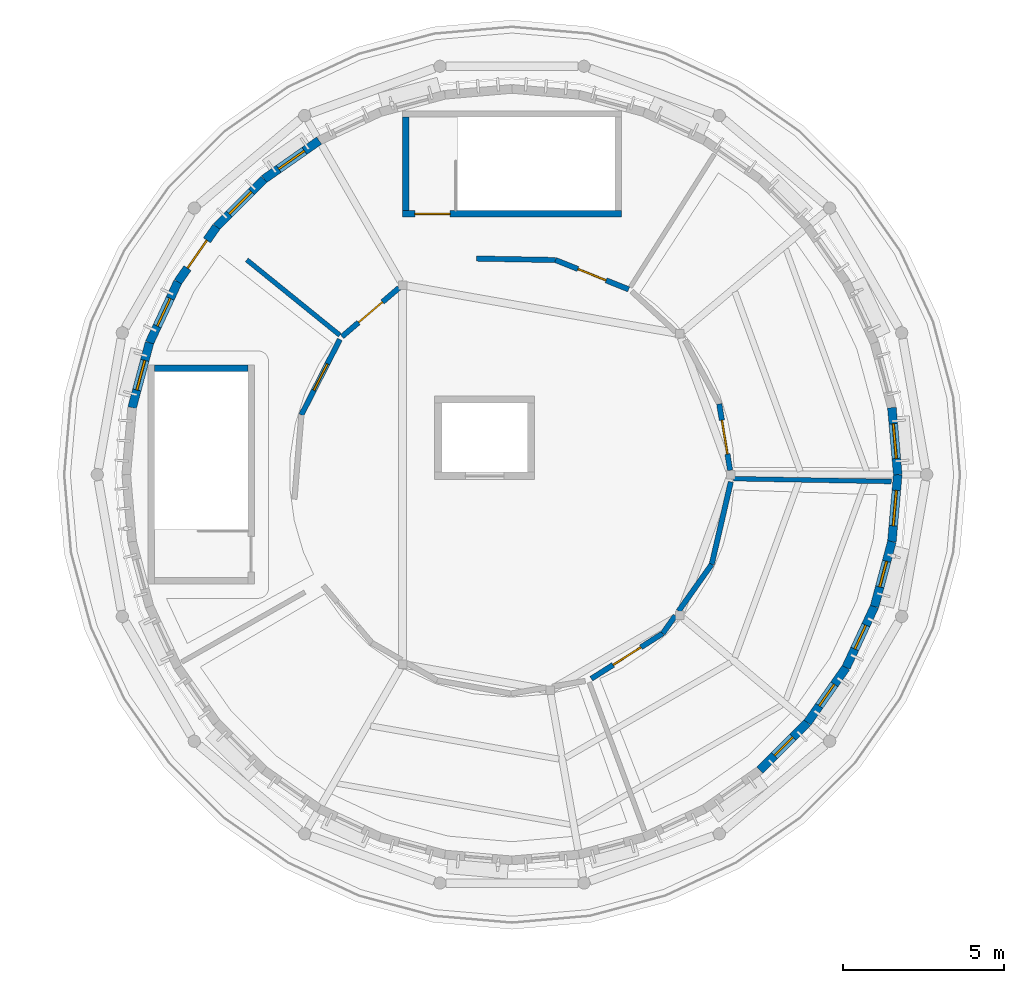
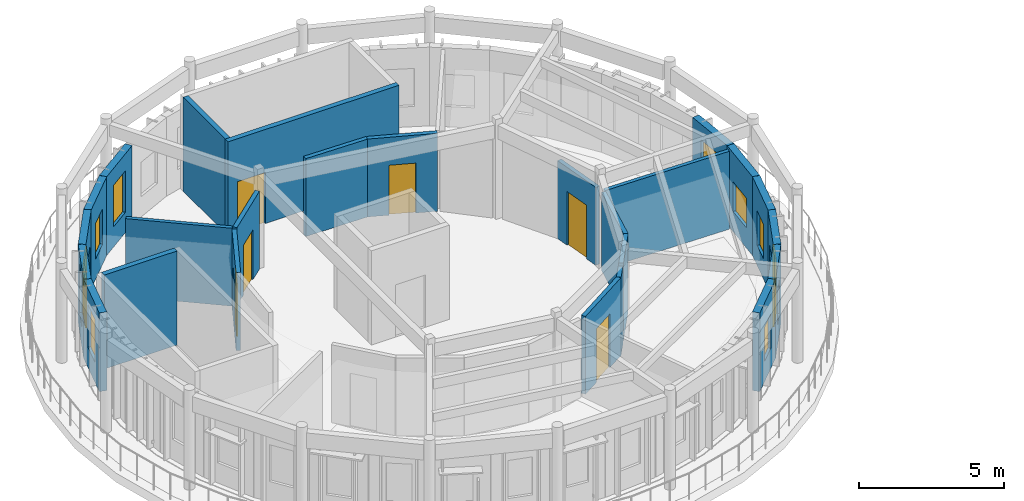
# One storey, part 9 of 14: 25 walls, 10 windows, 7 doors, 17 openings.
"""IFC4 building model written with IfcOpenShell, lengths in metres."""

from ifc_helpers import new_model, si_unit, direction, frame, frame_2d, origin, place, context, subcontext, project, spatial, rectangle, extrude, material, layer, layer_set, type_object, element, fill, save


model = new_model("IFC4")

# Units and contexts
model_context = context("Model", 3, precision=1e-05, world=origin(), true_north=direction((0.0, 1.0)))
body_context = subcontext(model_context, "Body", "Model", "MODEL_VIEW")
ifc_project = project(units=[si_unit("LENGTHUNIT", "METRE"), si_unit("AREAUNIT", "SQUARE_METRE"), si_unit("VOLUMEUNIT", "CUBIC_METRE"), si_unit("PLANEANGLEUNIT", "RADIAN"), si_unit("MASSUNIT", "GRAM", prefix="KILO")], contexts=[model_context])

# Site, building, storey
site_placement = place(None, origin())
site = spatial("IfcSite", under=ifc_project, at=site_placement, CompositionType="ELEMENT")
building_placement = place(site_placement, origin())
building = spatial("IfcBuilding", under=site, at=building_placement, Name="Aldenvaro Health Centre", CompositionType="ELEMENT")
storey_placement = place(building_placement, frame((0.0, 0.0, 21.35009765625)))
storey = spatial("IfcBuildingStorey", under=building, at=storey_placement, Name="L05", CompositionType="ELEMENT", Elevation=21.35009765625)

# Walls
ifc_material_1 = material(Name="Gypsum Stud Acoustic Assembly")
ifc_layer_1 = layer(ifc_material_1, 0.14501953125, Name="Gypsum Stud Acoustic Assembly")
ifc_layer_set_1 = layer_set([ifc_layer_1], Name="Gypsum Stud Acoustic Assembly")
wall_type_1 = type_object("IfcWallType", Name="WL-CLN-145", PredefinedType="PARTITIONING", material=ifc_layer_set_1)
wall_1_placement = place(storey_placement, frame((13.15087890625, 103.83203125, 0.0), z_axis=(0.0, 0.0, 1.0), x_axis=(-0.777240280244, 0.629203899198, 0.0)))
element("IfcWall", 1, at=wall_1_placement, inside=storey, type_object=wall_type_1, Name="D4 L05 clinical partition 1.1", PredefinedType="PARTITIONING", context=body_context, shape_type="SweptSolid", body=[
    extrude(rectangle(XDim=3.715576171875, YDim=0.14501953125, at=frame_2d((1.85791015625, 0.0))), origin(), (0.0, 0.0, 1.0), 3.27880859375),
])
wall_2_placement = place(storey_placement, frame((25.382080078125, 99.375, 0.0), z_axis=(0.0, 0.0, 1.0), x_axis=(0.999834471554, -0.01819421588, 0.0)))
element("IfcWall", 2, at=wall_2_placement, inside=storey, type_object=wall_type_1, Name="D4 L05 clinical partition 4.1", PredefinedType="PARTITIONING", context=body_context, shape_type="SweptSolid", body=[
    extrude(rectangle(XDim=4.897705078125, YDim=0.14501953125, at=frame_2d((2.44873046875, 0.0))), origin(), (0.0, 0.0, 1.0), 3.27880859375),
])

# Wall, opening, door
ifc_layer_2 = layer(ifc_material_1, 0.1650390625, Name="Gypsum Stud Acoustic Assembly")
ifc_layer_set_2 = layer_set([ifc_layer_2], Name="Gypsum Stud Acoustic Assembly")
wall_type_2 = type_object("IfcWallType", Name="WL-COR-165", PredefinedType="PARTITIONING", material=ifc_layer_set_2)
wall_3_placement = place(storey_placement, frame((13.153076171875, 103.700927734375, 0.0), z_axis=(0.0, 0.0, 1.0), x_axis=(-0.454070411611, -0.890965802542, 0.0)))
wall_3 = element("IfcWall", 3, at=wall_3_placement, inside=storey, type_object=wall_type_2, Name="D4 L05 corridor wall 01.1", PredefinedType="PARTITIONING", context=body_context, shape_type="SweptSolid", body=[
    extrude(rectangle(XDim=2.629638671875, YDim=0.1650390625, at=frame_2d((1.31494140625, 0.0))), origin(), (0.0, 0.0, 1.0), 3.27880859375),
])
opening_1_placement = place(wall_3_placement, frame((0.85400390625, 0.0, 0.0)))
opening_1 = element("IfcOpeningElement", 4, at=opening_1_placement, cuts=wall_3, Name="Opening D-09", PredefinedType="OPENING", context=body_context, shape_type="SweptSolid", body=[
    extrude(rectangle(XDim=0.919921875, YDim=2.239990234375, at=frame_2d((0.4599609375, 1.1201171875))), frame((0.0, 0.092529296875, 0.0), z_axis=(0.0, -1.0, 0.0), x_axis=(1.0, 0.0, 0.0)), (0.0, 0.0, 1.0), 0.18505859375),
])
ifc_material_2 = material(Name="Tall Clinical Timber Door", Category="wood")
door_type_1 = type_object("IfcDoorType", Name="DR-CLN-09", OperationType="NOTDEFINED", PredefinedType="DOOR", material=ifc_material_2)
door_1_placement = place(opening_1_placement, origin())
door_1 = element("IfcDoor", 5, at=door_1_placement, inside=storey, type_object=door_type_1, Name="Integrative Medicine Consulting Suite Door", OperationType="SINGLE_SWING_LEFT", OverallHeight=2.239990234375, OverallWidth=0.919921875, PredefinedType="DOOR", context=body_context, shape_type="SweptSolid", body=[
    extrude(rectangle(XDim=0.919921875, YDim=2.239990234375, at=frame_2d((0.4599609375, 1.1201171875))), frame((0.0, 0.02490234375, 0.0), z_axis=(0.0, -1.0, 0.0), x_axis=(1.0, 0.0, 0.0)), (0.0, 0.0, 1.0), 0.050048828125),
])
fill(opening_1, door_1)

wall_4_placement = place(storey_placement, frame((20.962890625, 93.162109375, 0.0), z_axis=(0.0, 0.0, 1.0), x_axis=(0.844505505294, 0.535546871457, 0.0)))
wall_4 = element("IfcWall", 6, at=wall_4_placement, inside=storey, type_object=wall_type_2, Name="D4 L05 corridor wall 03.1", PredefinedType="PARTITIONING", context=body_context, shape_type="SweptSolid", body=[
    extrude(rectangle(XDim=2.62890625, YDim=0.1650390625, at=frame_2d((1.314453125, 0.0))), origin(), (0.0, 0.0, 1.0), 3.27880859375),
])
opening_2_placement = place(wall_4_placement, frame((0.803955078125, 0.0, 0.0)))
opening_2 = element("IfcOpeningElement", 7, at=opening_2_placement, cuts=wall_4, Name="Opening D-11", PredefinedType="OPENING", context=body_context, shape_type="SweptSolid", body=[
    extrude(rectangle(XDim=1.02001953125, YDim=2.260009765625, at=frame_2d((0.510009765625, 1.1298828125))), frame((0.0, 0.092529296875, 0.0), z_axis=(0.0, -1.0, 0.0), x_axis=(1.0, 0.0, 0.0)), (0.0, 0.0, 1.0), 0.18505859375),
])
door_type_2 = type_object("IfcDoorType", Name="DR-CLN-11", OperationType="NOTDEFINED", PredefinedType="DOOR", material=ifc_material_2)
door_2_placement = place(opening_2_placement, origin())
door_2 = element("IfcDoor", 8, at=door_2_placement, inside=storey, type_object=door_type_2, Name="Clinical Research and Care Coordination Door", OperationType="SINGLE_SWING_LEFT", OverallHeight=2.260009765625, OverallWidth=1.02001953125, PredefinedType="DOOR", context=body_context, shape_type="SweptSolid", body=[
    extrude(rectangle(XDim=1.02001953125, YDim=2.260009765625, at=frame_2d((0.510009765625, 1.1298828125))), frame((0.0, 0.02490234375, 0.0), z_axis=(0.0, -1.0, 0.0), x_axis=(1.0, 0.0, 0.0)), (0.0, 0.0, 1.0), 0.050048828125),
])
fill(opening_2, door_2)

# Walls
wall_5_placement = place(storey_placement, frame((23.18310546875, 94.570068359375, 0.0), z_axis=(0.0, 0.0, 1.0), x_axis=(0.578863935342, 0.815424149974, 0.0)))
element("IfcWall", 9, at=wall_5_placement, inside=storey, type_object=wall_type_2, Name="D4 L05 corridor wall 03.2", PredefinedType="PARTITIONING", context=body_context, shape_type="SweptSolid", body=[
    extrude(rectangle(XDim=0.671875, YDim=0.1650390625, at=frame_2d((0.3359375, 0.0))), origin(), (0.0, 0.0, 1.0), 3.27880859375),
])
wall_6_placement = place(storey_placement, frame((23.674072265625, 95.261962890625, 0.0), z_axis=(0.0, 0.0, 1.0), x_axis=(0.577834707515, 0.816153815645, 0.0)))
element("IfcWall", 10, at=wall_6_placement, inside=storey, type_object=wall_type_2, Name="D4 L05 corridor wall 03.3", PredefinedType="PARTITIONING", context=body_context, shape_type="SweptSolid", body=[
    extrude(rectangle(XDim=1.780517578125, YDim=0.1650390625, at=frame_2d((0.89013671875, 0.0))), origin(), (0.0, 0.0, 1.0), 3.27880859375),
])
wall_7_placement = place(storey_placement, frame((24.702880859375, 96.715087890625, 0.0), z_axis=(0.0, 0.0, 1.0), x_axis=(0.225605611858, 0.974218716664, 0.0)))
element("IfcWall", 11, at=wall_7_placement, inside=storey, type_object=wall_type_2, Name="D4 L05 corridor wall 03.4", PredefinedType="PARTITIONING", context=body_context, shape_type="SweptSolid", body=[
    extrude(rectangle(XDim=2.628662109375, YDim=0.1650390625, at=frame_2d((1.314453125, 0.0))), origin(), (0.0, 0.0, 1.0), 3.27880859375),
])

# Wall, opening, door
wall_8_placement = place(storey_placement, frame((25.27392578125, 99.635009765625, 0.0), z_axis=(0.0, 0.0, 1.0), x_axis=(-0.161857175328, 0.986814194666, 0.0)))
wall_8 = element("IfcWall", 12, at=wall_8_placement, inside=storey, type_object=wall_type_2, Name="D4 L05 corridor wall 04.1", PredefinedType="PARTITIONING", context=body_context, shape_type="SweptSolid", body=[
    extrude(rectangle(XDim=2.087646484375, YDim=0.1650390625, at=frame_2d((1.0439453125, 0.0))), origin(), (0.0, 0.0, 1.0), 3.27880859375),
])
opening_3_placement = place(wall_8_placement, frame((0.513916015625, 0.0, 0.0)))
opening_3 = element("IfcOpeningElement", 13, at=opening_3_placement, cuts=wall_8, Name="Opening D-12", PredefinedType="OPENING", context=body_context, shape_type="SweptSolid", body=[
    extrude(rectangle(XDim=1.06005859375, YDim=2.260009765625, at=frame_2d((0.530029296875, 1.1298828125))), frame((0.0, 0.092529296875, 0.0), z_axis=(0.0, -1.0, 0.0), x_axis=(1.0, 0.0, 0.0)), (0.0, 0.0, 1.0), 0.18505859375),
])
door_type_3 = type_object("IfcDoorType", Name="DR-CLN-12", OperationType="NOTDEFINED", PredefinedType="DOOR", material=ifc_material_2)
door_3_placement = place(opening_3_placement, origin())
door_3 = element("IfcDoor", 14, at=door_3_placement, inside=storey, type_object=door_type_3, Name="Staff Respite Lounge Door", OperationType="SINGLE_SWING_RIGHT", OverallHeight=2.260009765625, OverallWidth=1.06005859375, PredefinedType="DOOR", context=body_context, shape_type="SweptSolid", body=[
    extrude(rectangle(XDim=1.06005859375, YDim=2.260009765625, at=frame_2d((0.530029296875, 1.1298828125))), frame((0.0, 0.02490234375, 0.0), z_axis=(0.0, -1.0, 0.0), x_axis=(1.0, 0.0, 0.0)), (0.0, 0.0, 1.0), 0.050048828125),
])
fill(opening_3, door_3)

wall_9_placement = place(storey_placement, frame((22.1220703125, 105.2548828125, 0.0), z_axis=(0.0, 0.0, 1.0), x_axis=(-0.928283943148, 0.371872183544, 0.0)))
wall_9 = element("IfcWall", 15, at=wall_9_placement, inside=storey, type_object=wall_type_2, Name="D4 L05 corridor wall 05.1", PredefinedType="PARTITIONING", context=body_context, shape_type="SweptSolid", body=[
    extrude(rectangle(XDim=2.447509765625, YDim=0.1650390625, at=frame_2d((1.2236328125, 0.0))), origin(), (0.0, 0.0, 1.0), 3.27880859375),
])
opening_4_placement = place(wall_9_placement, frame((0.75390625, 0.0, 0.0)))
opening_4 = element("IfcOpeningElement", 16, at=opening_4_placement, cuts=wall_9, Name="Opening WD-02", PredefinedType="OPENING", context=body_context, shape_type="SweptSolid", body=[
    extrude(rectangle(XDim=0.93994140625, YDim=2.10009765625, at=frame_2d((0.469970703125, 1.050048828125))), frame((0.0, 0.092529296875, 0.0), z_axis=(0.0, -1.0, 0.0), x_axis=(1.0, 0.0, 0.0)), (0.0, 0.0, 1.0), 0.18505859375),
])
ifc_material_3 = material(Name="Accessible Sanitary Laminate Door")
door_type_4 = type_object("IfcDoorType", Name="DR-WC-02", OperationType="NOTDEFINED", PredefinedType="DOOR", material=ifc_material_3)
door_4_placement = place(opening_4_placement, origin())
door_4 = element("IfcDoor", 17, at=door_4_placement, inside=storey, type_object=door_type_4, Name="Male Staff WC Door", OperationType="SINGLE_SWING_LEFT", OverallHeight=2.10009765625, OverallWidth=0.93994140625, PredefinedType="DOOR", context=body_context, shape_type="SweptSolid", body=[
    extrude(rectangle(XDim=0.93994140625, YDim=2.10009765625, at=frame_2d((0.469970703125, 1.050048828125))), frame((0.0, 0.02490234375, 0.0), z_axis=(0.0, -1.0, 0.0), x_axis=(1.0, 0.0, 0.0)), (0.0, 0.0, 1.0), 0.050048828125),
])
fill(opening_4, door_4)

# Wall
wall_10_placement = place(storey_placement, frame((19.85009765625, 106.1650390625, 0.0), z_axis=(0.0, 0.0, 1.0), x_axis=(-0.999824136519, 0.018753560577, 0.0)))
element("IfcWall", 18, at=wall_10_placement, inside=storey, type_object=wall_type_2, Name="D4 L05 corridor wall 05.2", PredefinedType="PARTITIONING", context=body_context, shape_type="SweptSolid", body=[
    extrude(rectangle(XDim=2.447509765625, YDim=0.1650390625, at=frame_2d((1.2236328125, 0.0))), origin(), (0.0, 0.0, 1.0), 3.27880859375),
])

# Wall, opening, door
wall_11_placement = place(storey_placement, frame((14.992919921875, 105.302978515625, 0.0), z_axis=(0.0, 0.0, 1.0), x_axis=(-0.759884425371, -0.650058197455, 0.0)))
wall_11 = element("IfcWall", 19, at=wall_11_placement, inside=storey, type_object=wall_type_2, Name="D4 L05 corridor wall 06.1", PredefinedType="PARTITIONING", context=body_context, shape_type="SweptSolid", body=[
    extrude(rectangle(XDim=2.331787109375, YDim=0.1650390625, at=frame_2d((1.166015625, 0.0))), origin(), (0.0, 0.0, 1.0), 3.27880859375),
])
opening_5_placement = place(wall_11_placement, frame((0.676025390625, 0.0, 0.0)))
opening_5 = element("IfcOpeningElement", 20, at=opening_5_placement, cuts=wall_11, Name="Opening WD-03", PredefinedType="OPENING", context=body_context, shape_type="SweptSolid", body=[
    extrude(rectangle(XDim=0.97998046875, YDim=2.10009765625, at=frame_2d((0.489990234375, 1.050048828125))), frame((0.0, 0.092529296875, 0.0), z_axis=(0.0, -1.0, 0.0), x_axis=(1.0, 0.0, 0.0)), (0.0, 0.0, 1.0), 0.18505859375),
])
ifc_material_4 = material(Name="Bariatric Accessible Sanitary Door")
door_type_5 = type_object("IfcDoorType", Name="DR-WC-03", OperationType="NOTDEFINED", PredefinedType="DOOR", material=ifc_material_4)
door_5_placement = place(opening_5_placement, origin())
door_5 = element("IfcDoor", 21, at=door_5_placement, inside=storey, type_object=door_type_5, Name="Female Staff WC Door", OperationType="SINGLE_SWING_RIGHT", OverallHeight=2.10009765625, OverallWidth=0.97998046875, PredefinedType="DOOR", context=body_context, shape_type="SweptSolid", body=[
    extrude(rectangle(XDim=0.97998046875, YDim=2.10009765625, at=frame_2d((0.489990234375, 1.050048828125))), frame((0.0, 0.02490234375, 0.0), z_axis=(0.0, -1.0, 0.0), x_axis=(1.0, 0.0, 0.0)), (0.0, 0.0, 1.0), 0.050048828125),
])
fill(opening_5, door_5)

# Wall, opening, window
ifc_material_5 = material(Name="Cross-laminated timber CLT E1", Category="wood")
ifc_layer_3 = layer(ifc_material_5, 0.27001953125, Name="Cross-laminated timber CLT E1", Category="wood")
ifc_layer_set_3 = layer_set([ifc_layer_3], Name="Cross-laminated timber CLT E1")
wall_type_3 = type_object("IfcWallType", Name="WL-EXT-270", PredefinedType="ELEMENTEDWALL", material=ifc_layer_set_3)
wall_12_placement = place(storey_placement, frame((30.298095703125, 97.419921875, 0.0), z_axis=(0.0, 0.0, 1.0), x_axis=(-0.258652308331, -0.965970487849, 0.0)))
wall_12 = element("IfcWall", 22, at=wall_12_placement, inside=storey, type_object=wall_type_3, Name="D4 L05 exterior wall 01", PredefinedType="ELEMENTEDWALL", context=body_context, shape_type="SweptSolid", body=[
    extrude(rectangle(XDim=2.087890625, YDim=0.27001953125, at=frame_2d((1.0439453125, 0.0))), origin(), (0.0, 0.0, 1.0), 3.31396484375),
])
opening_6_placement = place(wall_12_placement, frame((0.634033203125, 0.0, 0.85009765625)))
opening_6 = element("IfcOpeningElement", 23, at=opening_6_placement, cuts=wall_12, Name="Opening W-01", PredefinedType="OPENING", context=body_context, shape_type="SweptSolid", body=[
    extrude(rectangle(XDim=0.820068359375, YDim=1.449951171875, at=frame_2d((0.41015625, 0.72509765625))), frame((0.0, 0.14501953125, 0.0), z_axis=(0.0, -1.0, 0.0), x_axis=(1.0, 0.0, 0.0)), (0.0, 0.0, 1.0), 0.2900390625),
])
ifc_material_6 = material(Name="Thermally Broken Aluminium Low-E Glass", Category="aluminium")
window_type_1 = type_object("IfcWindowType", Name="WN-EXT-01", PartitioningType="SINGLE_PANEL", PredefinedType="WINDOW", material=ifc_material_6)
window_1_placement = place(opening_6_placement, origin())
window_1 = element("IfcWindow", 24, at=window_1_placement, inside=storey, type_object=window_type_1, Name="D4 L05 clinical window 01", OverallHeight=1.449951171875, OverallWidth=0.820068359375, PartitioningType="SINGLE_PANEL", PredefinedType="WINDOW", context=body_context, shape_type="SweptSolid", body=[
    extrude(rectangle(XDim=0.820068359375, YDim=1.449951171875, at=frame_2d((0.41015625, 0.72509765625))), frame((0.0, 0.030029296875, 0.0), z_axis=(0.0, -1.0, 0.0), x_axis=(1.0, 0.0, 0.0)), (0.0, 0.0, 1.0), 0.06005859375),
])
fill(opening_6, window_1)

wall_13_placement = place(storey_placement, frame((29.758056640625, 95.403076171875, 0.0), z_axis=(0.0, 0.0, 1.0), x_axis=(-0.422738299131, -0.906251803004, 0.0)))
wall_13 = element("IfcWall", 25, at=wall_13_placement, inside=storey, type_object=wall_type_3, Name="D4 L05 exterior wall 02", PredefinedType="ELEMENTEDWALL", context=body_context, shape_type="SweptSolid", body=[
    extrude(rectangle(XDim=2.0888671875, YDim=0.27001953125, at=frame_2d((1.04443359375, 0.0))), origin(), (0.0, 0.0, 1.0), 3.31396484375),
])
opening_7_placement = place(wall_13_placement, frame((0.634033203125, 0.0, 0.85009765625)))
opening_7 = element("IfcOpeningElement", 26, at=opening_7_placement, cuts=wall_13, Name="Opening W-01", PredefinedType="OPENING", context=body_context, shape_type="SweptSolid", body=[
    extrude(rectangle(XDim=0.820068359375, YDim=1.449951171875, at=frame_2d((0.41015625, 0.72509765625))), frame((0.0, 0.14501953125, 0.0), z_axis=(0.0, -1.0, 0.0), x_axis=(1.0, 0.0, 0.0)), (0.0, 0.0, 1.0), 0.2900390625),
])
window_2_placement = place(opening_7_placement, origin())
window_2 = element("IfcWindow", 27, at=window_2_placement, inside=storey, type_object=window_type_1, Name="D4 L05 clinical window 02", OverallHeight=1.449951171875, OverallWidth=0.820068359375, PartitioningType="SINGLE_PANEL", PredefinedType="WINDOW", context=body_context, shape_type="SweptSolid", body=[
    extrude(rectangle(XDim=0.820068359375, YDim=1.449951171875, at=frame_2d((0.41015625, 0.72509765625))), frame((0.0, 0.030029296875, 0.0), z_axis=(0.0, -1.0, 0.0), x_axis=(1.0, 0.0, 0.0)), (0.0, 0.0, 1.0), 0.06005859375),
])
fill(opening_7, window_2)

wall_14_placement = place(storey_placement, frame((28.875, 93.510009765625, 0.0), z_axis=(0.0, 0.0, 1.0), x_axis=(-0.573572167388, -0.819155033433, 0.0)))
wall_14 = element("IfcWall", 28, at=wall_14_placement, inside=storey, type_object=wall_type_3, Name="D4 L05 exterior wall 03", PredefinedType="ELEMENTEDWALL", context=body_context, shape_type="SweptSolid", body=[
    extrude(rectangle(XDim=2.088623046875, YDim=0.27001953125, at=frame_2d((1.04443359375, 0.0))), origin(), (0.0, 0.0, 1.0), 3.31396484375),
])
opening_8_placement = place(wall_14_placement, frame((0.634033203125, 0.0, 0.85009765625)))
opening_8 = element("IfcOpeningElement", 29, at=opening_8_placement, cuts=wall_14, Name="Opening W-01", PredefinedType="OPENING", context=body_context, shape_type="SweptSolid", body=[
    extrude(rectangle(XDim=0.820068359375, YDim=1.449951171875, at=frame_2d((0.41015625, 0.72509765625))), frame((0.0, 0.14501953125, 0.0), z_axis=(0.0, -1.0, 0.0), x_axis=(1.0, 0.0, 0.0)), (0.0, 0.0, 1.0), 0.2900390625),
])
window_3_placement = place(opening_8_placement, origin())
window_3 = element("IfcWindow", 30, at=window_3_placement, inside=storey, type_object=window_type_1, Name="D4 L05 clinical window 03", OverallHeight=1.449951171875, OverallWidth=0.820068359375, PartitioningType="SINGLE_PANEL", PredefinedType="WINDOW", context=body_context, shape_type="SweptSolid", body=[
    extrude(rectangle(XDim=0.820068359375, YDim=1.449951171875, at=frame_2d((0.41015625, 0.72509765625))), frame((0.0, 0.030029296875, 0.0), z_axis=(0.0, -1.0, 0.0), x_axis=(1.0, 0.0, 0.0)), (0.0, 0.0, 1.0), 0.06005859375),
])
fill(opening_8, window_3)

wall_15_placement = place(storey_placement, frame((27.677001953125, 91.799072265625, 0.0), z_axis=(0.0, 0.0, 1.0), x_axis=(-0.707106781187, -0.707106781187, 0.0)))
wall_15 = element("IfcWall", 31, at=wall_15_placement, inside=storey, type_object=wall_type_3, Name="D4 L05 exterior wall 04", PredefinedType="ELEMENTEDWALL", context=body_context, shape_type="SweptSolid", body=[
    extrude(rectangle(XDim=2.08740234375, YDim=0.27001953125, at=frame_2d((1.043701171875, 0.0))), origin(), (0.0, 0.0, 1.0), 3.31396484375),
])
opening_9_placement = place(wall_15_placement, frame((0.634033203125, 0.0, 0.85009765625)))
opening_9 = element("IfcOpeningElement", 32, at=opening_9_placement, cuts=wall_15, Name="Opening W-01", PredefinedType="OPENING", context=body_context, shape_type="SweptSolid", body=[
    extrude(rectangle(XDim=0.820068359375, YDim=1.449951171875, at=frame_2d((0.41015625, 0.72509765625))), frame((0.0, 0.14501953125, 0.0), z_axis=(0.0, -1.0, 0.0), x_axis=(1.0, 0.0, 0.0)), (0.0, 0.0, 1.0), 0.2900390625),
])
window_4_placement = place(opening_9_placement, origin())
window_4 = element("IfcWindow", 33, at=window_4_placement, inside=storey, type_object=window_type_1, Name="D4 L05 clinical window 04", OverallHeight=1.449951171875, OverallWidth=0.820068359375, PartitioningType="SINGLE_PANEL", PredefinedType="WINDOW", context=body_context, shape_type="SweptSolid", body=[
    extrude(rectangle(XDim=0.820068359375, YDim=1.449951171875, at=frame_2d((0.41015625, 0.72509765625))), frame((0.0, 0.030029296875, 0.0), z_axis=(0.0, -1.0, 0.0), x_axis=(1.0, 0.0, 0.0)), (0.0, 0.0, 1.0), 0.06005859375),
])
fill(opening_9, window_4)

wall_16_placement = place(storey_placement, frame((6.701904296875, 101.580078125, 0.0), z_axis=(0.0, 0.0, 1.0), x_axis=(0.258652308331, 0.965970487849, 0.0)))
wall_16 = element("IfcWall", 34, at=wall_16_placement, inside=storey, type_object=wall_type_3, Name="D4 L05 exterior wall 19", PredefinedType="ELEMENTEDWALL", context=body_context, shape_type="SweptSolid", body=[
    extrude(rectangle(XDim=2.087890625, YDim=0.27001953125, at=frame_2d((1.0439453125, 0.0))), origin(), (0.0, 0.0, 1.0), 3.31396484375),
])
opening_10_placement = place(wall_16_placement, frame((0.569091796875, 0.0, 0.85009765625)))
opening_10 = element("IfcOpeningElement", 35, at=opening_10_placement, cuts=wall_16, Name="Opening W-11", PredefinedType="OPENING", context=body_context, shape_type="SweptSolid", body=[
    extrude(rectangle(XDim=0.949951171875, YDim=1.800048828125, at=frame_2d((0.47509765625, 0.89990234375))), frame((0.0, 0.14501953125, 0.0), z_axis=(0.0, -1.0, 0.0), x_axis=(1.0, 0.0, 0.0)), (0.0, 0.0, 1.0), 0.2900390625),
])
window_type_2 = type_object("IfcWindowType", Name="WN-EXT-11", PartitioningType="SINGLE_PANEL", PredefinedType="WINDOW", material=ifc_material_6)
window_5_placement = place(opening_10_placement, origin())
window_5 = element("IfcWindow", 36, at=window_5_placement, inside=storey, type_object=window_type_2, Name="D4 L05 clinical window 19", OverallHeight=1.800048828125, OverallWidth=0.949951171875, PartitioningType="SINGLE_PANEL", PredefinedType="WINDOW", context=body_context, shape_type="SweptSolid", body=[
    extrude(rectangle(XDim=0.949951171875, YDim=1.800048828125, at=frame_2d((0.47509765625, 0.89990234375))), frame((0.0, 0.030029296875, 0.0), z_axis=(0.0, -1.0, 0.0), x_axis=(1.0, 0.0, 0.0)), (0.0, 0.0, 1.0), 0.06005859375),
])
fill(opening_10, window_5)

wall_17_placement = place(storey_placement, frame((7.241943359375, 103.596923828125, 0.0), z_axis=(0.0, 0.0, 1.0), x_axis=(0.422738299131, 0.906251803004, 0.0)))
wall_17 = element("IfcWall", 37, at=wall_17_placement, inside=storey, type_object=wall_type_3, Name="D4 L05 exterior wall 20", PredefinedType="ELEMENTEDWALL", context=body_context, shape_type="SweptSolid", body=[
    extrude(rectangle(XDim=2.0888671875, YDim=0.27001953125, at=frame_2d((1.04443359375, 0.0))), origin(), (0.0, 0.0, 1.0), 3.31396484375),
])
opening_11_placement = place(wall_17_placement, frame((0.569091796875, 0.0, 0.85009765625)))
opening_11 = element("IfcOpeningElement", 38, at=opening_11_placement, cuts=wall_17, Name="Opening W-12", PredefinedType="OPENING", context=body_context, shape_type="SweptSolid", body=[
    extrude(rectangle(XDim=0.949951171875, YDim=2.050048828125, at=frame_2d((0.47509765625, 1.02490234375))), frame((0.0, 0.14501953125, 0.0), z_axis=(0.0, -1.0, 0.0), x_axis=(1.0, 0.0, 0.0)), (0.0, 0.0, 1.0), 0.2900390625),
])
window_type_3 = type_object("IfcWindowType", Name="WN-EXT-12", PartitioningType="SINGLE_PANEL", PredefinedType="WINDOW", material=ifc_material_6)
window_6_placement = place(opening_11_placement, origin())
window_6 = element("IfcWindow", 39, at=window_6_placement, inside=storey, type_object=window_type_3, Name="D4 L05 clinical window 20", OverallHeight=2.050048828125, OverallWidth=0.949951171875, PartitioningType="SINGLE_PANEL", PredefinedType="WINDOW", context=body_context, shape_type="SweptSolid", body=[
    extrude(rectangle(XDim=0.949951171875, YDim=2.050048828125, at=frame_2d((0.47509765625, 1.02490234375))), frame((0.0, 0.030029296875, 0.0), z_axis=(0.0, -1.0, 0.0), x_axis=(1.0, 0.0, 0.0)), (0.0, 0.0, 1.0), 0.06005859375),
])
fill(opening_11, window_6)

# Wall, opening, door
wall_18_placement = place(storey_placement, frame((8.125, 105.489990234375, 0.0), z_axis=(0.0, 0.0, 1.0), x_axis=(0.573572167388, 0.819155033433, 0.0)))
wall_18 = element("IfcWall", 40, at=wall_18_placement, inside=storey, type_object=wall_type_3, Name="D4 L05 exterior wall 21", PredefinedType="ELEMENTEDWALL", context=body_context, shape_type="SweptSolid", body=[
    extrude(rectangle(XDim=2.088623046875, YDim=0.27001953125, at=frame_2d((1.04443359375, 0.0))), origin(), (0.0, 0.0, 1.0), 3.31396484375),
])
opening_12_placement = place(wall_18_placement, frame((0.51904296875, 0.0, 0.0)))
opening_12 = element("IfcOpeningElement", 41, at=opening_12_placement, cuts=wall_18, Name="Opening TD-02", PredefinedType="OPENING", context=body_context, shape_type="SweptSolid", body=[
    extrude(rectangle(XDim=1.050048828125, YDim=2.14990234375, at=frame_2d((0.52490234375, 1.074951171875))), frame((0.0, 0.14501953125, 0.0), z_axis=(0.0, -1.0, 0.0), x_axis=(1.0, 0.0, 0.0)), (0.0, 0.0, 1.0), 0.2900390625),
])
ifc_material_7 = material(Name="Thermally Broken Glazed Aluminium", Category="aluminium")
door_type_6 = type_object("IfcDoorType", Name="DR-TER-105", OperationType="NOTDEFINED", PredefinedType="DOOR", material=ifc_material_7)
door_6_placement = place(opening_12_placement, origin())
door_6 = element("IfcDoor", 42, at=door_6_placement, inside=storey, type_object=door_type_6, Name="D4 L05 Belvedere Terrace Door 21", OperationType="SINGLE_SWING_LEFT", OverallHeight=2.14990234375, OverallWidth=1.050048828125, PredefinedType="DOOR", context=body_context, shape_type="SweptSolid", body=[
    extrude(rectangle(XDim=1.050048828125, YDim=2.14990234375, at=frame_2d((0.52490234375, 1.074951171875))), frame((0.0, 0.02490234375, 0.0), z_axis=(0.0, -1.0, 0.0), x_axis=(1.0, 0.0, 0.0)), (0.0, 0.0, 1.0), 0.050048828125),
])
fill(opening_12, door_6)

# Wall, opening, window
wall_19_placement = place(storey_placement, frame((9.322998046875, 107.200927734375, 0.0), z_axis=(0.0, 0.0, 1.0), x_axis=(0.707106781187, 0.707106781187, 0.0)))
wall_19 = element("IfcWall", 43, at=wall_19_placement, inside=storey, type_object=wall_type_3, Name="D4 L05 exterior wall 22", PredefinedType="ELEMENTEDWALL", context=body_context, shape_type="SweptSolid", body=[
    extrude(rectangle(XDim=2.08740234375, YDim=0.27001953125, at=frame_2d((1.043701171875, 0.0))), origin(), (0.0, 0.0, 1.0), 3.31396484375),
])
opening_13_placement = place(wall_19_placement, frame((0.553955078125, 0.0, 0.85009765625)))
opening_13 = element("IfcOpeningElement", 44, at=opening_13_placement, cuts=wall_19, Name="Opening W-13", PredefinedType="OPENING", context=body_context, shape_type="SweptSolid", body=[
    extrude(rectangle(XDim=0.97998046875, YDim=1.5, at=frame_2d((0.489990234375, 0.75))), frame((0.0, 0.14501953125, 0.0), z_axis=(0.0, -1.0, 0.0), x_axis=(1.0, 0.0, 0.0)), (0.0, 0.0, 1.0), 0.2900390625),
])
window_type_4 = type_object("IfcWindowType", Name="WN-EXT-13", PartitioningType="SINGLE_PANEL", PredefinedType="WINDOW", material=ifc_material_6)
window_7_placement = place(opening_13_placement, origin())
window_7 = element("IfcWindow", 45, at=window_7_placement, inside=storey, type_object=window_type_4, Name="D4 L05 clinical window 22", OverallHeight=1.5, OverallWidth=0.97998046875, PartitioningType="SINGLE_PANEL", PredefinedType="WINDOW", context=body_context, shape_type="SweptSolid", body=[
    extrude(rectangle(XDim=0.97998046875, YDim=1.5, at=frame_2d((0.489990234375, 0.75))), frame((0.0, 0.030029296875, 0.0), z_axis=(0.0, -1.0, 0.0), x_axis=(1.0, 0.0, 0.0)), (0.0, 0.0, 1.0), 0.06005859375),
])
fill(opening_13, window_7)

wall_20_placement = place(storey_placement, frame((10.799072265625, 108.677001953125, 0.0), z_axis=(0.0, 0.0, 1.0), x_axis=(0.819155033433, 0.573572167388, 0.0)))
wall_20 = element("IfcWall", 46, at=wall_20_placement, inside=storey, type_object=wall_type_3, Name="D4 L05 exterior wall 23", PredefinedType="ELEMENTEDWALL", context=body_context, shape_type="SweptSolid", body=[
    extrude(rectangle(XDim=2.088623046875, YDim=0.27001953125, at=frame_2d((1.04443359375, 0.0))), origin(), (0.0, 0.0, 1.0), 3.31396484375),
])
opening_14_placement = place(wall_20_placement, frame((0.553955078125, 0.0, 0.85009765625)))
opening_14 = element("IfcOpeningElement", 47, at=opening_14_placement, cuts=wall_20, Name="Opening W-14", PredefinedType="OPENING", context=body_context, shape_type="SweptSolid", body=[
    extrude(rectangle(XDim=0.97998046875, YDim=1.75, at=frame_2d((0.489990234375, 0.875))), frame((0.0, 0.14501953125, 0.0), z_axis=(0.0, -1.0, 0.0), x_axis=(1.0, 0.0, 0.0)), (0.0, 0.0, 1.0), 0.2900390625),
])
window_type_5 = type_object("IfcWindowType", Name="WN-EXT-14", PartitioningType="SINGLE_PANEL", PredefinedType="WINDOW", material=ifc_material_6)
window_8_placement = place(opening_14_placement, origin())
window_8 = element("IfcWindow", 48, at=window_8_placement, inside=storey, type_object=window_type_5, Name="D4 L05 clinical window 23", OverallHeight=1.75, OverallWidth=0.97998046875, PartitioningType="SINGLE_PANEL", PredefinedType="WINDOW", context=body_context, shape_type="SweptSolid", body=[
    extrude(rectangle(XDim=0.97998046875, YDim=1.75, at=frame_2d((0.489990234375, 0.875))), frame((0.0, 0.030029296875, 0.0), z_axis=(0.0, -1.0, 0.0), x_axis=(1.0, 0.0, 0.0)), (0.0, 0.0, 1.0), 0.06005859375),
])
fill(opening_14, window_8)

wall_21_placement = place(storey_placement, frame((30.298095703125, 101.580078125, 0.0), z_axis=(0.0, 0.0, 1.0), x_axis=(0.087108931964, -0.996198792396, 0.0)))
wall_21 = element("IfcWall", 49, at=wall_21_placement, inside=storey, type_object=wall_type_3, Name="D4 L05 exterior wall 35", PredefinedType="ELEMENTEDWALL", context=body_context, shape_type="SweptSolid", body=[
    extrude(rectangle(XDim=2.088134765625, YDim=0.27001953125, at=frame_2d((1.0439453125, 0.0))), origin(), (0.0, 0.0, 1.0), 3.31396484375),
])
opening_15_placement = place(wall_21_placement, frame((0.50390625, 0.0, 0.85009765625)))
opening_15 = element("IfcOpeningElement", 50, at=opening_15_placement, cuts=wall_21, Name="Opening W-24", PredefinedType="OPENING", context=body_context, shape_type="SweptSolid", body=[
    extrude(rectangle(XDim=1.080078125, YDim=1.800048828125, at=frame_2d((0.5400390625, 0.89990234375))), frame((0.0, 0.14501953125, 0.0), z_axis=(0.0, -1.0, 0.0), x_axis=(1.0, 0.0, 0.0)), (0.0, 0.0, 1.0), 0.2900390625),
])
window_type_6 = type_object("IfcWindowType", Name="WN-EXT-24", PartitioningType="SINGLE_PANEL", PredefinedType="WINDOW", material=ifc_material_6)
window_9_placement = place(opening_15_placement, origin())
window_9 = element("IfcWindow", 51, at=window_9_placement, inside=storey, type_object=window_type_6, Name="D4 L05 clinical window 35", OverallHeight=1.800048828125, OverallWidth=1.080078125, PartitioningType="SINGLE_PANEL", PredefinedType="WINDOW", context=body_context, shape_type="SweptSolid", body=[
    extrude(rectangle(XDim=1.080078125, YDim=1.800048828125, at=frame_2d((0.5400390625, 0.89990234375))), frame((0.0, 0.030029296875, 0.0), z_axis=(0.0, -1.0, 0.0), x_axis=(1.0, 0.0, 0.0)), (0.0, 0.0, 1.0), 0.06005859375),
])
fill(opening_15, window_9)

wall_22_placement = place(storey_placement, frame((30.47998046875, 99.5, 0.0), z_axis=(0.0, 0.0, 1.0), x_axis=(-0.087108931964, -0.996198792396, 0.0)))
wall_22 = element("IfcWall", 52, at=wall_22_placement, inside=storey, type_object=wall_type_3, Name="D4 L05 exterior wall 36", PredefinedType="ELEMENTEDWALL", context=body_context, shape_type="SweptSolid", body=[
    extrude(rectangle(XDim=2.088134765625, YDim=0.27001953125, at=frame_2d((1.0439453125, 0.0))), origin(), (0.0, 0.0, 1.0), 3.31396484375),
])
opening_16_placement = place(wall_22_placement, frame((0.493896484375, 0.0, 0.85009765625)))
opening_16 = element("IfcOpeningElement", 53, at=opening_16_placement, cuts=wall_22, Name="Opening W-25", PredefinedType="OPENING", context=body_context, shape_type="SweptSolid", body=[
    extrude(rectangle(XDim=1.10009765625, YDim=1.25, at=frame_2d((0.550048828125, 0.625))), frame((0.0, 0.14501953125, 0.0), z_axis=(0.0, -1.0, 0.0), x_axis=(1.0, 0.0, 0.0)), (0.0, 0.0, 1.0), 0.2900390625),
])
window_type_7 = type_object("IfcWindowType", Name="WN-EXT-25", PartitioningType="SINGLE_PANEL", PredefinedType="WINDOW", material=ifc_material_6)
window_10_placement = place(opening_16_placement, origin())
window_10 = element("IfcWindow", 54, at=window_10_placement, inside=storey, type_object=window_type_7, Name="D4 L05 clinical window 36", OverallHeight=1.25, OverallWidth=1.10009765625, PartitioningType="SINGLE_PANEL", PredefinedType="WINDOW", context=body_context, shape_type="SweptSolid", body=[
    extrude(rectangle(XDim=1.10009765625, YDim=1.25, at=frame_2d((0.550048828125, 0.625))), frame((0.0, 0.030029296875, 0.0), z_axis=(0.0, -1.0, 0.0), x_axis=(1.0, 0.0, 0.0)), (0.0, 0.0, 1.0), 0.06005859375),
])
fill(opening_16, window_10)

# Wall, opening, door
ifc_material_8 = material(Name="Concrete f'c 40 MPa", Category="concrete")
ifc_layer_4 = layer(ifc_material_8, 0.199951171875, Name="Concrete f'c 40 MPa", Category="concrete")
ifc_layer_set_4 = layer_set([ifc_layer_4], Name="Concrete f'c 40 MPa")
wall_type_4 = type_object("IfcWallType", Name="WL-SHAFT-200", PredefinedType="SHEAR", material=ifc_layer_set_4)
wall_23_placement = place(storey_placement, frame((15.10009765625, 107.60009765625, 0.0), z_axis=(0.0, 0.0, 1.0), x_axis=(1.0, 0.0, 0.0)))
wall_23 = element("IfcWall", 55, at=wall_23_placement, inside=storey, type_object=wall_type_4, Name="ST-07 L05 inner core wall", PredefinedType="SHEAR", context=body_context, shape_type="SweptSolid", body=[
    extrude(rectangle(XDim=6.7998046875, YDim=0.199951171875, at=frame_2d((3.39990234375, 0.0))), origin(), (0.0, 0.0, 1.0), 3.9599609375),
])
opening_17_placement = place(wall_23_placement, frame((0.3798828125, 0.0, 0.0)))
opening_17 = element("IfcOpeningElement", 56, at=opening_17_placement, cuts=wall_23, Name="Opening FD-01", PredefinedType="OPENING", context=body_context, shape_type="SweptSolid", body=[
    extrude(rectangle(XDim=1.10009765625, YDim=2.14990234375, at=frame_2d((0.550048828125, 1.074951171875))), frame((0.0, 0.10986328125, 0.0), z_axis=(0.0, -1.0, 0.0), x_axis=(1.0, 0.0, 0.0)), (0.0, 0.0, 1.0), 0.219970703125),
])
ifc_material_9 = material(Name="Fire-Rated Steel Door Assembly", Category="steel")
door_type_7 = type_object("IfcDoorType", Name="DR-STAIR-110", OperationType="NOTDEFINED", PredefinedType="DOOR", material=ifc_material_9)
door_7_placement = place(opening_17_placement, origin())
door_7 = element("IfcDoor", 57, at=door_7_placement, inside=storey, type_object=door_type_7, Name="ST-07 L05 fire stair door", OperationType="SINGLE_SWING_LEFT", OverallHeight=2.14990234375, OverallWidth=1.10009765625, PredefinedType="DOOR", context=body_context, shape_type="SweptSolid", body=[
    extrude(rectangle(XDim=1.10009765625, YDim=2.14990234375, at=frame_2d((0.550048828125, 1.074951171875))), frame((0.0, 0.02490234375, 0.0), z_axis=(0.0, -1.0, 0.0), x_axis=(1.0, 0.0, 0.0)), (0.0, 0.0, 1.0), 0.050048828125),
])
fill(opening_17, door_7)

# Walls
for number, where, z_axis, x_axis, name in (
    (58, (15.199951171875, 107.699951171875, 0.0), (0.0, 0.0, 1.0), (0.0, 1.0, 0.0), "ST-07 L05 core wall L"),
    (59, (10.300048828125, 102.800048828125, 0.0), (0.0, 0.0, 1.0), (-1.0, 0.0, 0.0), "ST-08 L05 core wall R"),
):
    element("IfcWall", number, at=place(storey_placement, frame(where, z_axis=z_axis, x_axis=x_axis)), inside=storey, type_object=wall_type_4, Name=name, PredefinedType="SHEAR", context=body_context, shape_type="SweptSolid", body=[
        extrude(rectangle(XDim=2.900146484375, YDim=0.199951171875, at=frame_2d((1.4501953125, 0.0))), origin(), (0.0, 0.0, 1.0), 3.9599609375),
    ])

save(model, "model.ifc")
